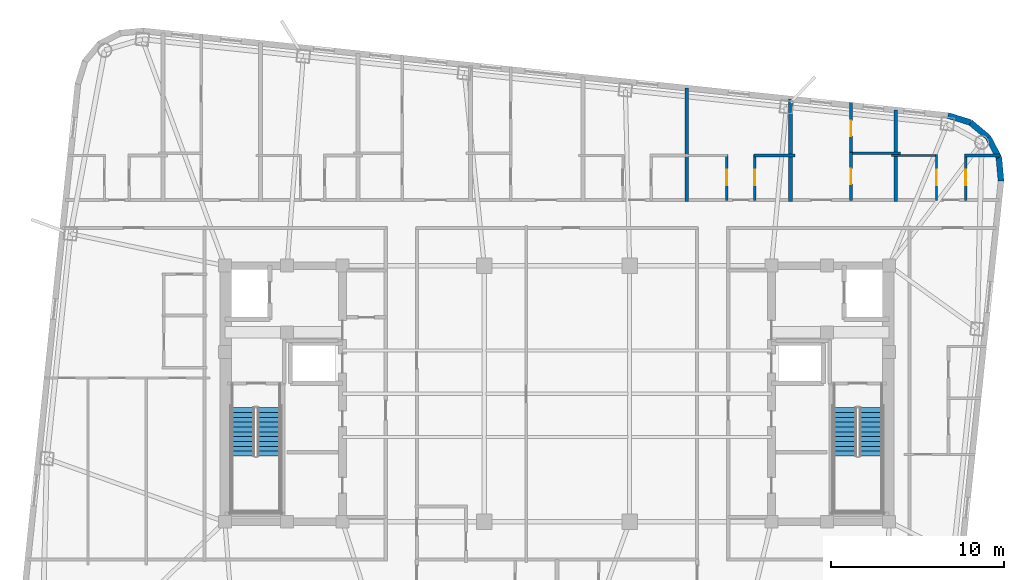
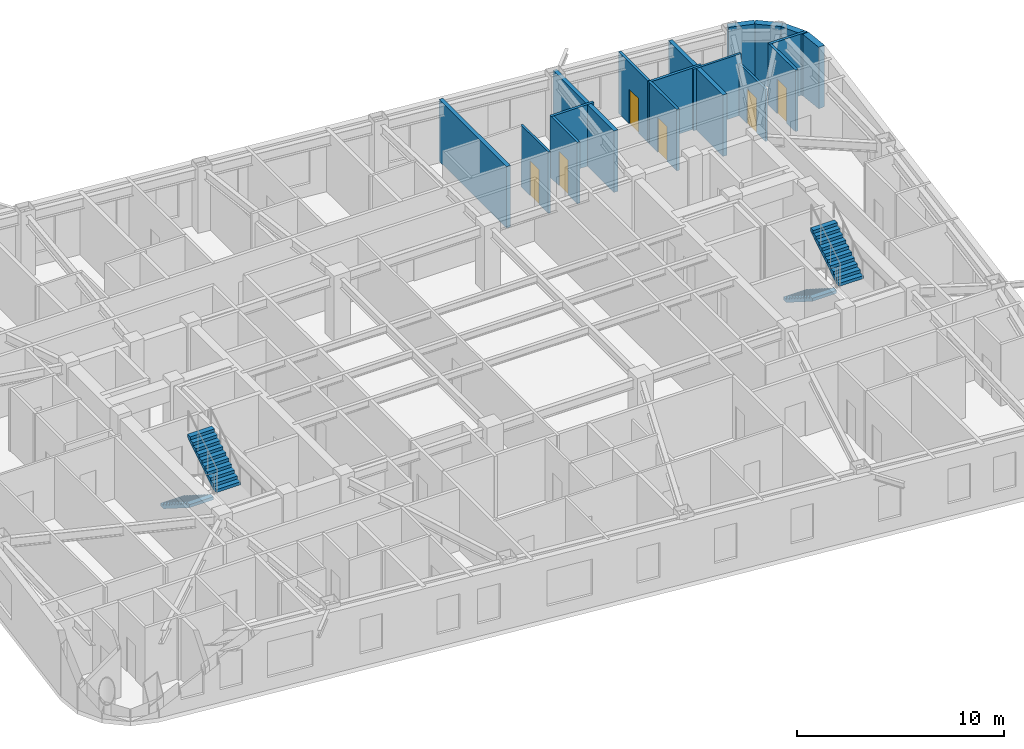
# One storey, part 9 of 11: 17 walls, 6 doors, 4 stair flights, 6 openings, 2 elements without a shape of their own.
"""IFC4 building model written with IfcOpenShell, lengths in metres."""

from ifc_helpers import new_model, si_unit, direction, frame, frame_2d, origin, place, context, subcontext, project, spatial, polyline, rectangle, outline, extrude, material, layer, layer_set, type_object, element, fill, aggregate, save


model = new_model("IFC4")

# Units and contexts
model_context = context("Model", 3, precision=1e-05, world=origin(), true_north=direction((0.0, 1.0)))
body_context = subcontext(model_context, "Body", "Model", "MODEL_VIEW")
ifc_project = project(units=[si_unit("LENGTHUNIT", "METRE"), si_unit("AREAUNIT", "SQUARE_METRE"), si_unit("VOLUMEUNIT", "CUBIC_METRE"), si_unit("PLANEANGLEUNIT", "RADIAN"), si_unit("MASSUNIT", "GRAM", prefix="KILO")], contexts=[model_context])

# Site, building, storey
site_placement = place(None, origin())
site = spatial("IfcSite", under=ifc_project, at=site_placement, CompositionType="ELEMENT")
building_placement = place(site_placement, origin())
building = spatial("IfcBuilding", under=site, at=building_placement, Name="Voryun Gate Residences", CompositionType="ELEMENT")
storey_placement = place(building_placement, frame((0.0, 0.0, 287.300048828125)))
storey = spatial("IfcBuildingStorey", under=building, at=storey_placement, Name="L71", CompositionType="ELEMENT", Elevation=287.300048828125)

# Walls
ifc_material_1 = material(Name="Charcoal terracotta masonry", Category="masonry")
ifc_layer_1 = layer(ifc_material_1, 0.340087890625, Name="W_EXT_TERRACOTTA_340")
ifc_layer_set_1 = layer_set([ifc_layer_1], Name="Charcoal terracotta masonry")
wall_type_1 = type_object("IfcWallType", Name="W_EXT_TERRACOTTA_340", PredefinedType="ELEMENTEDWALL", material=ifc_layer_set_1)
wall_1_placement = place(storey_placement, frame((22.6025390625, 16.083740234375, 0.0), z_axis=(0.0, 0.0, 1.0), x_axis=(0.955007802701, -0.296580674994, 0.0)))
element("IfcWall", 1, at=wall_1_placement, inside=storey, type_object=wall_type_1, Name="Exterior wall WEXT-L71-12", PredefinedType="ELEMENTEDWALL", context=body_context, shape_type="SweptSolid", body=[
    extrude(rectangle(XDim=1.354248046875, YDim=0.340087890625, at=frame_2d((0.67724609375, 0.0))), origin(), (0.0, 0.0, 1.0), 3.635009765625),
])
for number, where, z_axis, x_axis, name in (
    (2, (23.895751953125, 15.68212890625, 0.0), (0.0, 0.0, 1.0), (0.768789762863, -0.639501603217, 0.0), "Exterior wall WEXT-L71-13"),
    (3, (24.923583984375, 14.8271484375, 0.0), (0.0, 0.0, 1.0), (0.46567116636, -0.884957832228, 0.0), "Exterior wall WEXT-L71-14"),
):
    element("IfcWall", number, at=place(storey_placement, frame(where, z_axis=z_axis, x_axis=x_axis)), inside=storey, type_object=wall_type_1, Name=name, PredefinedType="ELEMENTEDWALL", context=body_context, shape_type="SweptSolid", body=[
        extrude(rectangle(XDim=1.3369140625, YDim=0.340087890625, at=frame_2d((0.66845703125, 0.0))), origin(), (0.0, 0.0, 1.0), 3.635009765625),
    ])
wall_2_placement = place(storey_placement, frame((25.546142578125, 13.64404296875, 0.0), z_axis=(0.0, 0.0, 1.0), x_axis=(0.091592370975, -0.995796584438, 0.0)))
element("IfcWall", 4, at=wall_2_placement, inside=storey, type_object=wall_type_1, Name="Exterior wall WEXT-L71-15", PredefinedType="ELEMENTEDWALL", context=body_context, shape_type="SweptSolid", body=[
    extrude(rectangle(XDim=1.35400390625, YDim=0.340087890625, at=frame_2d((0.677001953125, 0.0))), origin(), (0.0, 0.0, 1.0), 3.635009765625),
])
ifc_material_2 = material(Name="Concrete C40/50", Category="concrete")
ifc_layer_2 = layer(ifc_material_2, 0.219970703125, Name="W_PARTY_ACOUSTIC_220")
ifc_layer_set_2 = layer_set([ifc_layer_2], Name="Concrete C40/50")
wall_type_2 = type_object("IfcWallType", Name="W_PARTY_ACOUSTIC_220", PredefinedType="PARTITIONING", material=ifc_layer_set_2)
wall_3_placement = place(storey_placement, frame((7.5, 11.1201171875, 0.0), z_axis=(0.0, 0.0, 1.0), x_axis=(0.0, 1.0, 0.0)))
element("IfcWall", 5, at=wall_3_placement, inside=storey, type_object=wall_type_2, Name="Partition wall WP-L71-NPTY-6", PredefinedType="PARTITIONING", context=body_context, shape_type="SweptSolid", body=[
    extrude(rectangle(XDim=6.551025390625, YDim=0.219970703125, at=frame_2d((3.275390625, 0.0))), origin(), (0.0, 0.0, 1.0), 3.635009765625),
])
wall_4_placement = place(storey_placement, frame((13.5, 11.1201171875, 0.0), z_axis=(0.0, 0.0, 1.0), x_axis=(0.0, 1.0, 0.0)))
element("IfcWall", 6, at=wall_4_placement, inside=storey, type_object=wall_type_2, Name="Partition wall WP-L71-NPTY-7", PredefinedType="PARTITIONING", context=body_context, shape_type="SweptSolid", body=[
    extrude(rectangle(XDim=5.920166015625, YDim=0.219970703125, at=frame_2d((2.9599609375, 0.0))), origin(), (0.0, 0.0, 1.0), 3.635009765625),
])
wall_5_placement = place(storey_placement, frame((19.587890625, 11.1201171875, 0.0), z_axis=(0.0, 0.0, 1.0), x_axis=(0.0, 1.0, 0.0)))
element("IfcWall", 7, at=wall_5_placement, inside=storey, type_object=wall_type_2, Name="Partition wall WP-L71-NPTY-8", PredefinedType="PARTITIONING", context=body_context, shape_type="SweptSolid", body=[
    extrude(rectangle(XDim=5.280517578125, YDim=0.219970703125, at=frame_2d((2.64013671875, 0.0))), origin(), (0.0, 0.0, 1.0), 3.635009765625),
])

# Wall, opening, door
ifc_material_3 = material(Name="Gypsum acoustic partition")
ifc_layer_3 = layer(ifc_material_3, 0.125, Name="W_UNIT_PART_125")
ifc_layer_set_3 = layer_set([ifc_layer_3], Name="Gypsum acoustic partition")
wall_type_3 = type_object("IfcWallType", Name="W_UNIT_PART_125", PredefinedType="PARTITIONING", material=ifc_layer_set_3)
wall_6_placement = place(storey_placement, frame((9.81005859375, 11.179931640625, 0.0), z_axis=(0.0, 0.0, 1.0), x_axis=(0.0, 1.0, 0.0)))
wall_6 = element("IfcWall", 8, at=wall_6_placement, inside=storey, type_object=wall_type_3, Name="Partition wall WP-L71-N7-CVK", PredefinedType="PARTITIONING", context=body_context, shape_type="SweptSolid", body=[
    extrude(rectangle(XDim=2.650146484375, YDim=0.125, at=frame_2d((1.3251953125, 0.0))), origin(), (0.0, 0.0, 1.0), 3.635009765625),
])
opening_1_placement = place(wall_6_placement, frame((0.875, 0.0, 0.0)))
opening_1 = element("IfcOpeningElement", 9, at=opening_1_placement, cuts=wall_6, Name="Opening D-INT-2", PredefinedType="OPENING", context=body_context, shape_type="SweptSolid", body=[
    extrude(rectangle(XDim=0.89990234375, YDim=2.050048828125, at=frame_2d((0.449951171875, 1.02490234375))), frame((0.0, 0.072509765625, 0.0), z_axis=(0.0, -1.0, 0.0), x_axis=(1.0, 0.0, 0.0)), (0.0, 0.0, 1.0), 0.14501953125),
])
ifc_material_4 = material(Name="Architectural oak veneer")
door_type = type_object("IfcDoorType", Name="DR_INT_BATH_900", OperationType="NOTDEFINED", PredefinedType="DOOR", material=ifc_material_4)
door_1_placement = place(opening_1_placement, origin())
door_1 = element("IfcDoor", 10, at=door_1_placement, inside=storey, type_object=door_type, Name="Door DR-L71-N7-DK", OperationType="SINGLE_SWING_LEFT", OverallHeight=2.050048828125, OverallWidth=0.89990234375, PredefinedType="DOOR", context=body_context, shape_type="SweptSolid", body=[
    extrude(rectangle(XDim=0.89990234375, YDim=2.050048828125, at=frame_2d((0.449951171875, 1.02490234375))), frame((0.0, 0.02490234375, 0.0), z_axis=(0.0, -1.0, 0.0), x_axis=(1.0, 0.0, 0.0)), (0.0, 0.0, 1.0), 0.050048828125),
])
fill(opening_1, door_1)

wall_7_placement = place(storey_placement, frame((21.93896484375, 11.179931640625, 0.0), z_axis=(0.0, 0.0, 1.0), x_axis=(0.0, 1.0, 0.0)))
wall_7 = element("IfcWall", 11, at=wall_7_placement, inside=storey, type_object=wall_type_3, Name="Partition wall WP-L71-N9-CVK", PredefinedType="PARTITIONING", context=body_context, shape_type="SweptSolid", body=[
    extrude(rectangle(XDim=2.650146484375, YDim=0.125, at=frame_2d((1.3251953125, 0.0))), origin(), (0.0, 0.0, 1.0), 3.074951171875),
])
opening_2_placement = place(wall_7_placement, frame((0.875, 0.0, 0.0)))
opening_2 = element("IfcOpeningElement", 12, at=opening_2_placement, cuts=wall_7, Name="Opening D-INT-2", PredefinedType="OPENING", context=body_context, shape_type="SweptSolid", body=[
    extrude(rectangle(XDim=0.89990234375, YDim=2.050048828125, at=frame_2d((0.449951171875, 1.02490234375))), frame((0.0, 0.072509765625, 0.0), z_axis=(0.0, -1.0, 0.0), x_axis=(1.0, 0.0, 0.0)), (0.0, 0.0, 1.0), 0.14501953125),
])
door_2_placement = place(opening_2_placement, origin())
door_2 = element("IfcDoor", 13, at=door_2_placement, inside=storey, type_object=door_type, Name="Door DR-L71-N9-DK", OperationType="SINGLE_SWING_LEFT", OverallHeight=2.050048828125, OverallWidth=0.89990234375, PredefinedType="DOOR", context=body_context, shape_type="SweptSolid", body=[
    extrude(rectangle(XDim=0.89990234375, YDim=2.050048828125, at=frame_2d((0.449951171875, 1.02490234375))), frame((0.0, 0.02490234375, 0.0), z_axis=(0.0, -1.0, 0.0), x_axis=(1.0, 0.0, 0.0)), (0.0, 0.0, 1.0), 0.050048828125),
])
fill(opening_2, door_2)

# Wall
wall_8_placement = place(storey_placement, frame((19.327880859375, 13.77001953125, 0.0), z_axis=(0.0, 0.0, 1.0), x_axis=(1.0, 0.0, 0.0)))
element("IfcWall", 14, at=wall_8_placement, inside=storey, type_object=wall_type_3, Name="Partition wall WP-L71-N9-CHK", PredefinedType="PARTITIONING", context=body_context, shape_type="SweptSolid", body=[
    extrude(rectangle(XDim=2.671142578125, YDim=0.125, at=frame_2d((1.33544921875, 0.0))), origin(), (0.0, 0.0, 1.0), 3.635009765625),
])

# Wall, opening, door
ifc_material_5 = material(Name="Gypsum moisture-resistant partition")
ifc_layer_4 = layer(ifc_material_5, 0.14990234375, Name="W_WET_PLUMB_150")
ifc_layer_set_4 = layer_set([ifc_layer_4], Name="Gypsum moisture-resistant partition")
wall_type_4 = type_object("IfcWallType", Name="W_WET_PLUMB_150", PredefinedType="PLUMBINGWALL", material=ifc_layer_set_4)
wall_9_placement = place(storey_placement, frame((11.44091796875, 11.179931640625, 0.0), z_axis=(0.0, 0.0, 1.0), x_axis=(0.0, 1.0, 0.0)))
wall_9 = element("IfcWall", 15, at=wall_9_placement, inside=storey, type_object=wall_type_4, Name="Partition wall WP-L71-N7-CVB", PredefinedType="PLUMBINGWALL", context=body_context, shape_type="SweptSolid", body=[
    extrude(rectangle(XDim=2.650146484375, YDim=0.14990234375, at=frame_2d((1.3251953125, 0.0))), origin(), (0.0, 0.0, 1.0), 3.635009765625),
])
opening_3_placement = place(wall_9_placement, frame((0.875, 0.0, 0.0)))
opening_3 = element("IfcOpeningElement", 16, at=opening_3_placement, cuts=wall_9, Name="Opening D-INT-2", PredefinedType="OPENING", context=body_context, shape_type="SweptSolid", body=[
    extrude(rectangle(XDim=0.89990234375, YDim=2.050048828125, at=frame_2d((0.449951171875, 1.02490234375))), frame((0.0, 0.0849609375, 0.0), z_axis=(0.0, -1.0, 0.0), x_axis=(1.0, 0.0, 0.0)), (0.0, 0.0, 1.0), 0.169921875),
])
door_3_placement = place(opening_3_placement, origin())
door_3 = element("IfcDoor", 17, at=door_3_placement, inside=storey, type_object=door_type, Name="Door DR-L71-N7-DB", OperationType="SINGLE_SWING_RIGHT", OverallHeight=2.050048828125, OverallWidth=0.89990234375, PredefinedType="DOOR", context=body_context, shape_type="SweptSolid", body=[
    extrude(rectangle(XDim=0.89990234375, YDim=2.050048828125, at=frame_2d((0.449951171875, 1.02490234375))), frame((0.0, 0.02490234375, 0.0), z_axis=(0.0, -1.0, 0.0), x_axis=(1.0, 0.0, 0.0)), (0.0, 0.0, 1.0), 0.050048828125),
])
fill(opening_3, door_3)

# Walls
wall_10_placement = place(storey_placement, frame((11.381103515625, 13.77001953125, 0.0), z_axis=(0.0, 0.0, 1.0), x_axis=(1.0, 0.0, 0.0)))
element("IfcWall", 18, at=wall_10_placement, inside=storey, type_object=wall_type_4, Name="Partition wall WP-L71-N7-CHB", PredefinedType="PLUMBINGWALL", context=body_context, shape_type="SweptSolid", body=[
    extrude(rectangle(XDim=2.37890625, YDim=0.14990234375, at=frame_2d((1.189453125, 0.0))), origin(), (0.0, 0.0, 1.0), 3.635009765625),
])
wall_11_placement = place(storey_placement, frame((16.91796875, 13.89990234375, 0.0), z_axis=(0.0, 0.0, 1.0), x_axis=(1.0, 0.0, 0.0)))
element("IfcWall", 19, at=wall_11_placement, inside=storey, type_object=wall_type_4, Name="Partition wall WP-L71-N8-SKB", PredefinedType="PLUMBINGWALL", context=body_context, shape_type="SweptSolid", body=[
    extrude(rectangle(XDim=2.929931640625, YDim=0.14990234375, at=frame_2d((1.46484375, 0.0))), origin(), (0.0, 0.0, 1.0), 3.635009765625),
])

# Wall, opening, door
wall_12_placement = place(storey_placement, frame((16.998046875, 11.179931640625, 0.0), z_axis=(0.0, 0.0, 1.0), x_axis=(0.0, 1.0, 0.0)))
wall_12 = element("IfcWall", 20, at=wall_12_placement, inside=storey, type_object=wall_type_4, Name="Partition wall WP-L71-N8-SVT1", PredefinedType="PLUMBINGWALL", context=body_context, shape_type="SweptSolid", body=[
    extrude(rectangle(XDim=2.760009765625, YDim=0.14990234375, at=frame_2d((1.3798828125, 0.0))), origin(), (0.0, 0.0, 1.0), 3.635009765625),
])
opening_4_placement = place(wall_12_placement, frame((0.929931640625, 0.0, 0.0)))
opening_4 = element("IfcOpeningElement", 21, at=opening_4_placement, cuts=wall_12, Name="Opening D-INT-2", PredefinedType="OPENING", context=body_context, shape_type="SweptSolid", body=[
    extrude(rectangle(XDim=0.89990234375, YDim=2.050048828125, at=frame_2d((0.449951171875, 1.02490234375))), frame((0.0, 0.0849609375, 0.0), z_axis=(0.0, -1.0, 0.0), x_axis=(1.0, 0.0, 0.0)), (0.0, 0.0, 1.0), 0.169921875),
])
door_4_placement = place(opening_4_placement, origin())
door_4 = element("IfcDoor", 22, at=door_4_placement, inside=storey, type_object=door_type, Name="Door DR-L71-N8-DB", OperationType="SINGLE_SWING_LEFT", OverallHeight=2.050048828125, OverallWidth=0.89990234375, PredefinedType="DOOR", context=body_context, shape_type="SweptSolid", body=[
    extrude(rectangle(XDim=0.89990234375, YDim=2.050048828125, at=frame_2d((0.449951171875, 1.02490234375))), frame((0.0, 0.02490234375, 0.0), z_axis=(0.0, -1.0, 0.0), x_axis=(1.0, 0.0, 0.0)), (0.0, 0.0, 1.0), 0.050048828125),
])
fill(opening_4, door_4)

wall_13_placement = place(storey_placement, frame((16.998046875, 13.860107421875, 0.0), z_axis=(0.0, 0.0, 1.0), x_axis=(0.0, 1.0, 0.0)))
wall_13 = element("IfcWall", 23, at=wall_13_placement, inside=storey, type_object=wall_type_4, Name="Partition wall WP-L71-N8-SVT2", PredefinedType="PLUMBINGWALL", context=body_context, shape_type="SweptSolid", body=[
    extrude(rectangle(XDim=2.96337890625, YDim=0.14990234375, at=frame_2d((1.481689453125, 0.0))), origin(), (0.0, 0.0, 1.0), 3.635009765625),
])
opening_5_placement = place(wall_13_placement, frame((1.03173828125, 0.0, 0.0)))
opening_5 = element("IfcOpeningElement", 24, at=opening_5_placement, cuts=wall_13, Name="Opening D-INT-2", PredefinedType="OPENING", context=body_context, shape_type="SweptSolid", body=[
    extrude(rectangle(XDim=0.89990234375, YDim=2.050048828125, at=frame_2d((0.449951171875, 1.02490234375))), frame((0.0, 0.0849609375, 0.0), z_axis=(0.0, -1.0, 0.0), x_axis=(1.0, 0.0, 0.0)), (0.0, 0.0, 1.0), 0.169921875),
])
door_5_placement = place(opening_5_placement, origin())
door_5 = element("IfcDoor", 25, at=door_5_placement, inside=storey, type_object=door_type, Name="Door DR-L71-N8-DK", OperationType="SINGLE_SWING_RIGHT", OverallHeight=2.050048828125, OverallWidth=0.89990234375, PredefinedType="DOOR", context=body_context, shape_type="SweptSolid", body=[
    extrude(rectangle(XDim=0.89990234375, YDim=2.050048828125, at=frame_2d((0.449951171875, 1.02490234375))), frame((0.0, 0.02490234375, 0.0), z_axis=(0.0, -1.0, 0.0), x_axis=(1.0, 0.0, 0.0)), (0.0, 0.0, 1.0), 0.050048828125),
])
fill(opening_5, door_5)

wall_14_placement = place(storey_placement, frame((23.626953125, 11.179931640625, 0.0), z_axis=(0.0, 0.0, 1.0), x_axis=(0.0, 1.0, 0.0)))
wall_14 = element("IfcWall", 26, at=wall_14_placement, inside=storey, type_object=wall_type_4, Name="Partition wall WP-L71-N9-CVB", PredefinedType="PLUMBINGWALL", context=body_context, shape_type="SweptSolid", body=[
    extrude(rectangle(XDim=2.650146484375, YDim=0.14990234375, at=frame_2d((1.3251953125, 0.0))), origin(), (0.0, 0.0, 1.0), 3.635009765625),
])
opening_6_placement = place(wall_14_placement, frame((0.875, 0.0, 0.0)))
opening_6 = element("IfcOpeningElement", 27, at=opening_6_placement, cuts=wall_14, Name="Opening D-INT-2", PredefinedType="OPENING", context=body_context, shape_type="SweptSolid", body=[
    extrude(rectangle(XDim=0.89990234375, YDim=2.050048828125, at=frame_2d((0.449951171875, 1.02490234375))), frame((0.0, 0.0849609375, 0.0), z_axis=(0.0, -1.0, 0.0), x_axis=(1.0, 0.0, 0.0)), (0.0, 0.0, 1.0), 0.169921875),
])
door_6_placement = place(opening_6_placement, origin())
door_6 = element("IfcDoor", 28, at=door_6_placement, inside=storey, type_object=door_type, Name="Door DR-L71-N9-DB", OperationType="SINGLE_SWING_RIGHT", OverallHeight=2.050048828125, OverallWidth=0.89990234375, PredefinedType="DOOR", context=body_context, shape_type="SweptSolid", body=[
    extrude(rectangle(XDim=0.89990234375, YDim=2.050048828125, at=frame_2d((0.449951171875, 1.02490234375))), frame((0.0, 0.02490234375, 0.0), z_axis=(0.0, -1.0, 0.0), x_axis=(1.0, 0.0, 0.0)), (0.0, 0.0, 1.0), 0.050048828125),
])
fill(opening_6, door_6)

# Wall
wall_15_placement = place(storey_placement, frame((23.56689453125, 13.77001953125, 0.0), z_axis=(0.0, 0.0, 1.0), x_axis=(1.0, 0.0, 0.0)))
element("IfcWall", 29, at=wall_15_placement, inside=storey, type_object=wall_type_4, Name="Partition wall WP-L71-N9-CHB", PredefinedType="PLUMBINGWALL", context=body_context, shape_type="SweptSolid", body=[
    extrude(rectangle(XDim=2.08251953125, YDim=0.14990234375, at=frame_2d((1.041259765625, 0.0))), origin(), (0.0, 0.0, 1.0), 3.635009765625),
])

# Stair, stair flights
ifc_material_6 = material(Name="Concrete C40/50", Category="concrete")
stair_type = type_object("IfcStairType", Name="STR_CORE_DOGLEG_1350", PredefinedType="HALF_TURN_STAIR", material=ifc_material_6)
stair_1_placement = place(storey_placement, origin())
stair_1 = element("IfcStair", 30, at=stair_1_placement, inside=storey, type_object=stair_type, Name="L71 Special Escape Stair ST-W1", PredefinedType="HALF_TURN_STAIR")
ifc_material_7 = material(Name="Concrete C40/50", Category="concrete")
stair_flight_type = type_object("IfcStairFlightType", Name="FLT_CORE_1350", PredefinedType="STRAIGHT", material=ifc_material_7)
stair_flight_1_placement = place(storey_placement, frame((-18.14990234375, -0.800048828125, 0.0), z_axis=(0.0, 0.0, 1.0), x_axis=(0.0, -1.0, 0.0)))
stair_flight_1 = element("IfcStairFlight", 31, at=stair_flight_1_placement, type_object=stair_flight_type, Name="ST-W1 flight 1", NumberOfRisers=11, NumberOfTreads=10, PredefinedType="STRAIGHT", RiserHeight=0.177272727, TreadLength=0.28, context=body_context, shape_type="SweptSolid", body=[
    extrude(outline(polyline([(0.0, 0.0), (0.0, 0.17724609375), (0.280029296875, 0.17724609375), (0.280029296875, 0.3544921875), (0.56005859375, 0.3544921875), (0.56005859375, 0.53173828125), (0.840087890625, 0.53173828125), (0.840087890625, 0.708984375), (1.1201171875, 0.708984375), (1.1201171875, 0.886474609375), (1.39990234375, 0.886474609375), (1.39990234375, 1.063720703125), (1.679931640625, 1.063720703125), (1.679931640625, 1.240966796875), (1.9599609375, 1.240966796875), (1.9599609375, 1.418212890625), (2.239990234375, 1.418212890625), (2.239990234375, 1.595458984375), (2.52001953125, 1.595458984375), (2.52001953125, 1.772705078125), (2.800048828125, 1.772705078125), (2.800048828125, 1.949951171875), (2.800048828125, 1.59521484375), (0.2802734375, 0.0), (0.0, 0.0)])), frame((0.0, 0.675048828125, 0.0), z_axis=(0.0, -1.0, 0.0), x_axis=(1.0, 0.0, 0.0)), (0.0, 0.0, 1.0), 1.35009765625),
])
stair_flight_2_placement = place(storey_placement, frame((-16.64990234375, -3.60009765625, 1.949951171875), z_axis=(0.0, 0.0, 1.0), x_axis=(0.0, 1.0, 0.0)))
stair_flight_2 = element("IfcStairFlight", 32, at=stair_flight_2_placement, type_object=stair_flight_type, Name="ST-W1 flight 2", NumberOfRisers=11, NumberOfTreads=10, PredefinedType="STRAIGHT", RiserHeight=0.177272727, TreadLength=0.28, context=body_context, shape_type="SweptSolid", body=[
    extrude(outline(polyline([(0.0, 0.0), (0.0, 0.17724609375), (0.280029296875, 0.17724609375), (0.280029296875, 0.3544921875), (0.56005859375, 0.3544921875), (0.56005859375, 0.53173828125), (0.840087890625, 0.53173828125), (0.840087890625, 0.708984375), (1.1201171875, 0.708984375), (1.1201171875, 0.886474609375), (1.39990234375, 0.886474609375), (1.39990234375, 1.063720703125), (1.679931640625, 1.063720703125), (1.679931640625, 1.240966796875), (1.9599609375, 1.240966796875), (1.9599609375, 1.418212890625), (2.239990234375, 1.418212890625), (2.239990234375, 1.595458984375), (2.52001953125, 1.595458984375), (2.52001953125, 1.772705078125), (2.800048828125, 1.772705078125), (2.800048828125, 1.949951171875), (2.800048828125, 1.59521484375), (0.2802734375, 0.0), (0.0, 0.0)])), frame((0.0, 0.675048828125, 0.0), z_axis=(0.0, -1.0, 0.0), x_axis=(1.0, 0.0, 0.0)), (0.0, 0.0, 1.0), 1.35009765625),
])
aggregate(stair_1, [stair_flight_1, stair_flight_2])

stair_2_placement = place(storey_placement, origin())
stair_2 = element("IfcStair", 33, at=stair_2_placement, inside=storey, type_object=stair_type, Name="L71 Special Escape Stair ST-E1", PredefinedType="HALF_TURN_STAIR")
stair_flight_3_placement = place(storey_placement, frame((16.64990234375, -0.800048828125, 0.0), z_axis=(0.0, 0.0, 1.0), x_axis=(0.0, -1.0, 0.0)))
stair_flight_3 = element("IfcStairFlight", 34, at=stair_flight_3_placement, type_object=stair_flight_type, Name="ST-E1 flight 1", NumberOfRisers=11, NumberOfTreads=10, PredefinedType="STRAIGHT", RiserHeight=0.177272727, TreadLength=0.28, context=body_context, shape_type="SweptSolid", body=[
    extrude(outline(polyline([(0.0, 0.0), (0.0, 0.17724609375), (0.280029296875, 0.17724609375), (0.280029296875, 0.3544921875), (0.56005859375, 0.3544921875), (0.56005859375, 0.53173828125), (0.840087890625, 0.53173828125), (0.840087890625, 0.708984375), (1.1201171875, 0.708984375), (1.1201171875, 0.886474609375), (1.39990234375, 0.886474609375), (1.39990234375, 1.063720703125), (1.679931640625, 1.063720703125), (1.679931640625, 1.240966796875), (1.9599609375, 1.240966796875), (1.9599609375, 1.418212890625), (2.239990234375, 1.418212890625), (2.239990234375, 1.595458984375), (2.52001953125, 1.595458984375), (2.52001953125, 1.772705078125), (2.800048828125, 1.772705078125), (2.800048828125, 1.949951171875), (2.800048828125, 1.59521484375), (0.2802734375, 0.0), (0.0, 0.0)])), frame((0.0, 0.675048828125, 0.0), z_axis=(0.0, -1.0, 0.0), x_axis=(1.0, 0.0, 0.0)), (0.0, 0.0, 1.0), 1.35009765625),
])
stair_flight_4_placement = place(storey_placement, frame((18.14990234375, -3.60009765625, 1.949951171875), z_axis=(0.0, 0.0, 1.0), x_axis=(0.0, 1.0, 0.0)))
stair_flight_4 = element("IfcStairFlight", 35, at=stair_flight_4_placement, type_object=stair_flight_type, Name="ST-E1 flight 2", NumberOfRisers=11, NumberOfTreads=10, PredefinedType="STRAIGHT", RiserHeight=0.177272727, TreadLength=0.28, context=body_context, shape_type="SweptSolid", body=[
    extrude(outline(polyline([(0.0, 0.0), (0.0, 0.17724609375), (0.280029296875, 0.17724609375), (0.280029296875, 0.3544921875), (0.56005859375, 0.3544921875), (0.56005859375, 0.53173828125), (0.840087890625, 0.53173828125), (0.840087890625, 0.708984375), (1.1201171875, 0.708984375), (1.1201171875, 0.886474609375), (1.39990234375, 0.886474609375), (1.39990234375, 1.063720703125), (1.679931640625, 1.063720703125), (1.679931640625, 1.240966796875), (1.9599609375, 1.240966796875), (1.9599609375, 1.418212890625), (2.239990234375, 1.418212890625), (2.239990234375, 1.595458984375), (2.52001953125, 1.595458984375), (2.52001953125, 1.772705078125), (2.800048828125, 1.772705078125), (2.800048828125, 1.949951171875), (2.800048828125, 1.59521484375), (0.2802734375, 0.0), (0.0, 0.0)])), frame((0.0, 0.675048828125, 0.0), z_axis=(0.0, -1.0, 0.0), x_axis=(1.0, 0.0, 0.0)), (0.0, 0.0, 1.0), 1.35009765625),
])
aggregate(stair_2, [stair_flight_3, stair_flight_4])

save(model, "model.ifc")
